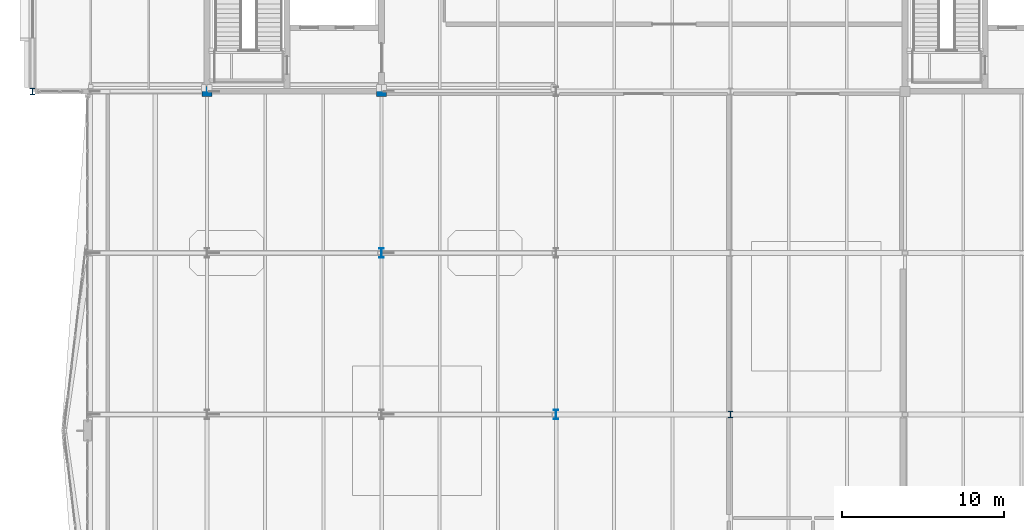
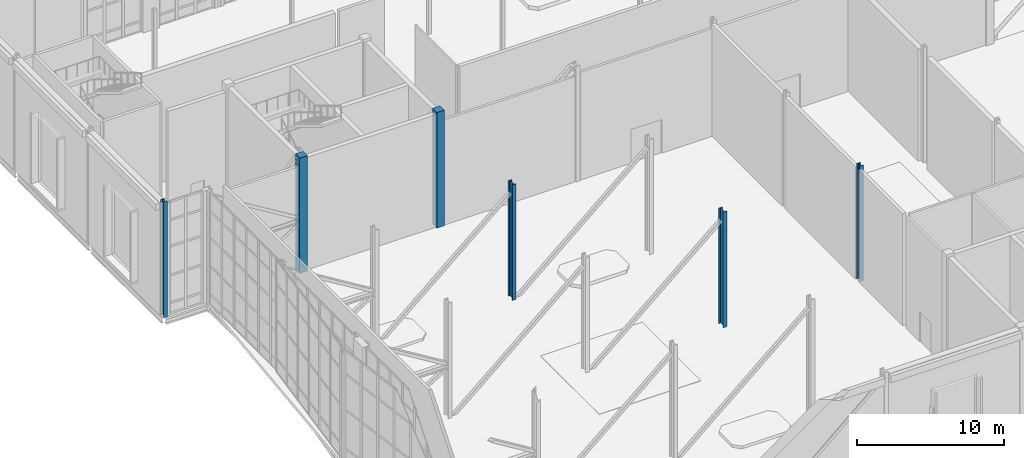
# One storey, part 2 of 100: 6 columns.
"""IFC4 building model written with IfcOpenShell, lengths in metres."""

from ifc_helpers import new_model, si_unit, direction, frame, origin, origin_2d, place, context, subcontext, project, spatial, rectangle, i_section, extrude, material, material_profile, profile_set, type_object, element, save


model = new_model("IFC4")

# Units and contexts
model_context = context("Model", 3, precision=1e-05, world=origin(), true_north=direction((0.0, 1.0)))
body_context = subcontext(model_context, "Body", "Model", "MODEL_VIEW")
ifc_project = project(units=[si_unit("LENGTHUNIT", "METRE"), si_unit("AREAUNIT", "SQUARE_METRE"), si_unit("VOLUMEUNIT", "CUBIC_METRE"), si_unit("PLANEANGLEUNIT", "RADIAN"), si_unit("MASSUNIT", "GRAM", prefix="KILO")], contexts=[model_context])

# Site, building, storey
site_placement = place(None, origin())
site = spatial("IfcSite", under=ifc_project, at=site_placement, CompositionType="ELEMENT")
building_placement = place(site_placement, origin())
building = spatial("IfcBuilding", under=site, at=building_placement, Name="Tasgan Crest Museum", CompositionType="ELEMENT")
storey_placement = place(building_placement, frame((0.0, 0.0, 14.39990234375)))
storey = spatial("IfcBuildingStorey", under=building, at=storey_placement, Name="L03", CompositionType="ELEMENT", Elevation=14.39990234375)

# Columns
ifc_material_1 = material(Name="Steel S355J2", Category="steel")
ifc_material_profile_1 = material_profile(ifc_material_1, i_section(OverallWidth=0.300048828125, OverallDepth=0.39990234375, WebThickness=0.013427734375, FlangeThickness=0.02392578125, FilletRadius=0.027099609375, at=origin_2d()), Name="HEB 400")
ifc_profile_set_1 = profile_set([ifc_material_profile_1], Name="Steel S355J2")
column_type_1 = type_object("IfcColumnType", Name="COL-HEB400", PredefinedType="COLUMN", material=ifc_profile_set_1)
for number, where, z_axis, x_axis, name in (
    (1, (0.0, 82.0, 0.0), (0.0, 0.0, 1.0), (1.0, 0.0, 0.0), "Column 1/J L03"),
    (2, (43.199951171875, 62.0, 0.0), (0.0, 0.0, 1.0), (1.0, 0.0, 0.0), "Column 5/G L03"),
):
    element("IfcColumn", number, at=place(storey_placement, frame(where, z_axis=z_axis, x_axis=x_axis)), inside=storey, type_object=column_type_1, Name=name, PredefinedType="COLUMN", context=body_context, shape_type="SweptSolid", body=[
        extrude(i_section(OverallWidth=0.300048828125, OverallDepth=0.39990234375, WebThickness=0.013427734375, FlangeThickness=0.02392578125, FilletRadius=0.027099609375, at=origin_2d()), origin(), (0.0, 0.0, 1.0), 9.60009765625),
    ])
ifc_material_2 = material(Name="Steel S355K2", Category="steel")
ifc_material_profile_2 = material_profile(ifc_material_2, i_section(OverallWidth=0.300048828125, OverallDepth=0.60009765625, WebThickness=0.015380859375, FlangeThickness=0.030029296875, FilletRadius=0.027099609375, at=origin_2d()), Name="HEB 600")
ifc_profile_set_2 = profile_set([ifc_material_profile_2], Name="Steel S355K2")
column_type_2 = type_object("IfcColumnType", Name="COL-HEB600", PredefinedType="COLUMN", material=ifc_profile_set_2)
for number, where, z_axis, x_axis, name in (
    (3, (21.60009765625, 72.0, 0.0), (0.0, 0.0, 1.0), (1.0, 0.0, 0.0), "Column 3/H L03"),
    (4, (32.39990234375, 62.0, 0.0), (0.0, 0.0, 1.0), (1.0, 0.0, 0.0), "Column 4/G L03"),
):
    element("IfcColumn", number, at=place(storey_placement, frame(where, z_axis=z_axis, x_axis=x_axis)), inside=storey, type_object=column_type_2, Name=name, PredefinedType="COLUMN", context=body_context, shape_type="SweptSolid", body=[
        extrude(i_section(OverallWidth=0.300048828125, OverallDepth=0.60009765625, WebThickness=0.015380859375, FlangeThickness=0.030029296875, FilletRadius=0.027099609375, at=origin_2d()), origin(), (0.0, 0.0, 1.0), 9.60009765625),
    ])
ifc_material_3 = material(Name="Concrete C40/50", Category="concrete")
ifc_material_profile_3 = material_profile(ifc_material_3, rectangle(XDim=0.60009765625, YDim=0.60009765625, at=origin_2d()), Name="RC 600x600")
ifc_profile_set_3 = profile_set([ifc_material_profile_3], Name="Concrete C40/50")
column_type_3 = type_object("IfcColumnType", Name="COL-RC600", PredefinedType="COLUMN", material=ifc_profile_set_3)
for number, where, z_axis, x_axis, name in (
    (5, (10.800048828125, 82.0, 0.0), (0.0, 0.0, 1.0), (1.0, 0.0, 0.0), "Column 2/J L03"),
    (6, (21.60009765625, 82.0, 0.0), (0.0, 0.0, 1.0), (1.0, 0.0, 0.0), "Column 3/J L03"),
):
    element("IfcColumn", number, at=place(storey_placement, frame(where, z_axis=z_axis, x_axis=x_axis)), inside=storey, type_object=column_type_3, Name=name, PredefinedType="COLUMN", context=body_context, shape_type="SweptSolid", body=[
        extrude(rectangle(XDim=0.60009765625, YDim=0.60009765625, at=origin_2d()), origin(), (0.0, 0.0, 1.0), 9.60009765625),
    ])

save(model, "model.ifc")
